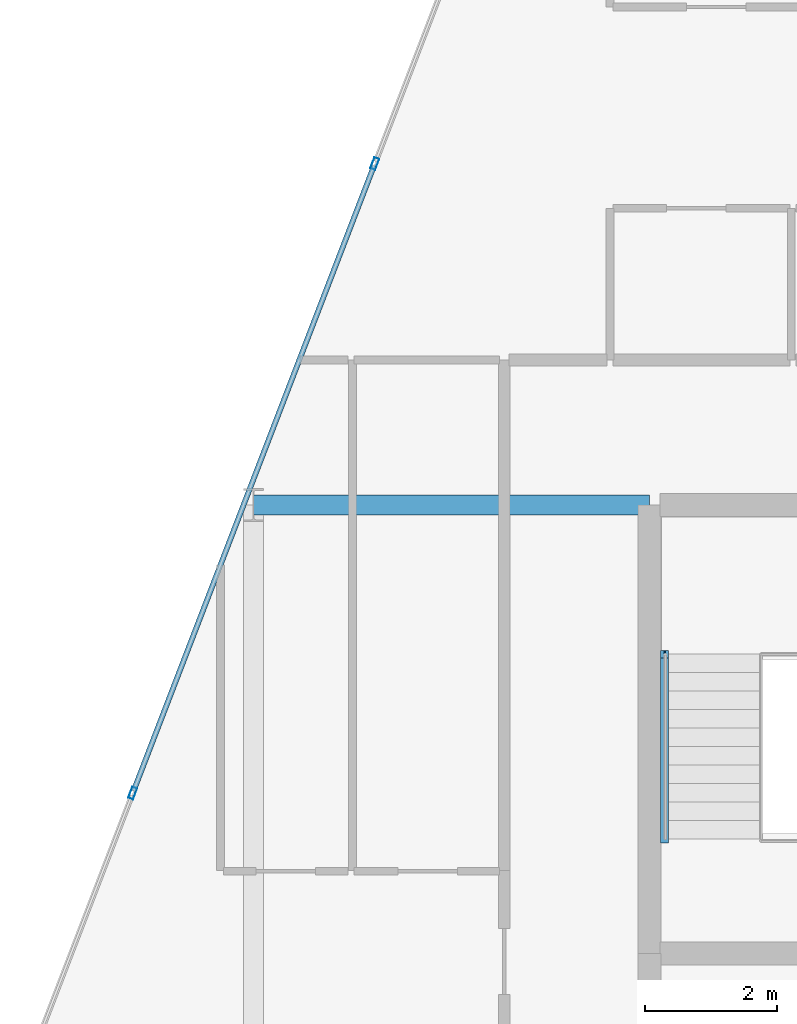
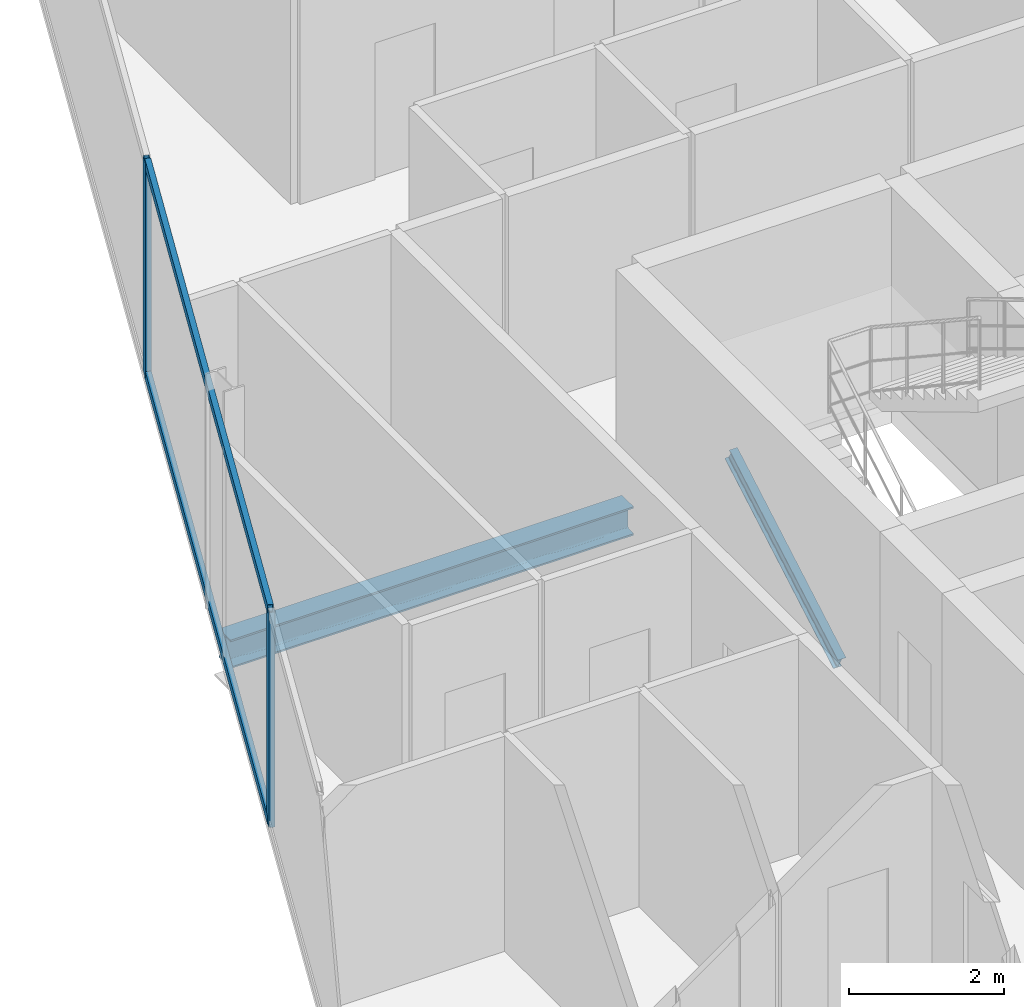
# One storey, part 15 of 31: 5 members, 1 beam, 1 element without a shape of its own.
"""IFC4 building model written with IfcOpenShell, lengths in metres."""

from ifc_helpers import new_model, si_unit, direction, frame, origin, origin_2d, place, context, subcontext, project, spatial, hollow_rectangle, i_section, extrude, material, layer, layer_set, material_profile, profile_set, type_object, element, aggregate, save


model = new_model("IFC4")

# Units and contexts
model_context = context("Model", 3, precision=1e-05, world=origin(), true_north=direction((0.0, 1.0)))
body_context = subcontext(model_context, "Body", "Model", "MODEL_VIEW")
ifc_project = project(units=[si_unit("LENGTHUNIT", "METRE"), si_unit("AREAUNIT", "SQUARE_METRE"), si_unit("VOLUMEUNIT", "CUBIC_METRE"), si_unit("PLANEANGLEUNIT", "RADIAN"), si_unit("MASSUNIT", "GRAM", prefix="KILO")], contexts=[model_context])

# Site, building, storey
site_placement = place(None, origin())
site = spatial("IfcSite", under=ifc_project, at=site_placement, CompositionType="ELEMENT")
building_placement = place(site_placement, origin())
building = spatial("IfcBuilding", under=site, at=building_placement, Name="Keshet Zoharim Tower", CompositionType="ELEMENT")
storey_placement = place(building_placement, frame((0.0, 0.0, 129.800048828125)))
storey = spatial("IfcBuildingStorey", under=building, at=storey_placement, Name="L31", CompositionType="ELEMENT", Elevation=129.800048828125)

# Beam
ifc_material_1 = material(Name="Steel S355", Category="steel")
ifc_material_profile_1 = material_profile(ifc_material_1, i_section(OverallWidth=0.300048828125, OverallDepth=0.449951171875, WebThickness=0.013916015625, FlangeThickness=0.02587890625, FilletRadius=0.027099609375, at=origin_2d()), Name="HEB450")
ifc_profile_set_1 = profile_set([ifc_material_profile_1], Name="Steel S355")
beam_type = type_object("IfcBeamType", Name="BM-WEB-HB450", PredefinedType="BEAM", material=ifc_profile_set_1)
beam_placement = place(storey_placement, frame((9.0, 37.89990234375, -0.5400390625), z_axis=(1.0, 0.0, 0.0), x_axis=(0.0, 1.0, 0.0)))
element("IfcBeam", 1, at=beam_placement, inside=storey, type_object=beam_type, Name="L31 Primary Girder X-018", PredefinedType="BEAM", context=body_context, shape_type="SweptSolid", body=[
    extrude(i_section(OverallWidth=0.300048828125, OverallDepth=0.449951171875, WebThickness=0.013916015625, FlangeThickness=0.02587890625, FilletRadius=0.027099609375, at=origin_2d()), origin(), (0.0, 0.0, 1.0), 6.0),
])

# Curtain wall, members
ifc_material_2 = material(Name="Aluminium 6063-T6", Category="aluminium")
ifc_layer = layer(ifc_material_2, 0.159912109375)
ifc_layer_set = layer_set([ifc_layer], Name="Aluminium 6063-T6")
curtain_wall_type = type_object("IfcCurtainWallType", Name="CW-SYS-03", PredefinedType="NOTDEFINED", material=ifc_layer_set)
curtain_wall_placement = place(storey_placement, origin())
curtain_wall = element("IfcCurtainWall", 2, at=curtain_wall_placement, inside=storey, type_object=curtain_wall_type, Name="L31 Unitised Curtain Wall 10", PredefinedType="NOTDEFINED")
ifc_material_profile_2 = material_profile(ifc_material_2, hollow_rectangle(XDim=0.080078125, YDim=0.179931640625, WallThickness=0.00439453125, at=origin_2d()), Name="MUL-80x180")
ifc_profile_set_2 = profile_set([ifc_material_profile_2], Name="Aluminium 6063-T6")
member_type_1 = type_object("IfcMemberType", Name="CWM-M18", PredefinedType="MULLION", material=ifc_profile_set_2)
member_1_placement = place(storey_placement, frame((7.1669921875, 33.53466796875, 0.0), z_axis=(0.0, 0.0, 1.0), x_axis=(-0.933341404361, 0.358990003907, 0.0)))
member_1 = element("IfcMember", 3, at=member_1_placement, type_object=member_type_1, Name="CW-03 mullion 2", PredefinedType="MULLION", context=body_context, shape_type="SweptSolid", body=[
    extrude(hollow_rectangle(XDim=0.080078125, YDim=0.179931640625, WallThickness=0.00439453125, at=origin_2d()), origin(), (0.0, 0.0, 1.0), 3.385009765625),
])
member_2_placement = place(storey_placement, frame((10.8369140625, 43.076416015625, 0.0), z_axis=(0.0, 0.0, 1.0), x_axis=(-0.933341404361, 0.358990003907, 0.0)))
member_2 = element("IfcMember", 4, at=member_2_placement, type_object=member_type_1, Name="CW-03 mullion 3", PredefinedType="MULLION", context=body_context, shape_type="SweptSolid", body=[
    extrude(hollow_rectangle(XDim=0.080078125, YDim=0.179931640625, WallThickness=0.00439453125, at=origin_2d()), origin(), (0.0, 0.0, 1.0), 3.385009765625),
])
ifc_material_profile_3 = material_profile(ifc_material_2, hollow_rectangle(XDim=0.080078125, YDim=0.139892578125, WallThickness=0.00390625, at=origin_2d()), Name="TRN-80x140")
ifc_profile_set_3 = profile_set([ifc_material_profile_3], Name="Aluminium 6063-T6")
member_type_2 = type_object("IfcMemberType", Name="CWT-T14", PredefinedType="USERDEFINED", material=ifc_profile_set_3)
member_3_placement = place(storey_placement, frame((7.179443359375, 33.5673828125, 0.034912109375), z_axis=(0.359003248899, 0.933336309848, 0.0), x_axis=(-0.933336309848, 0.359003248899, 0.0)))
member_3 = element("IfcMember", 5, at=member_3_placement, type_object=member_type_2, Name="CW-03 transom 2.1", ObjectType="TRANSOM", PredefinedType="USERDEFINED", context=body_context, shape_type="SweptSolid", body=[
    extrude(hollow_rectangle(XDim=0.080078125, YDim=0.139892578125, WallThickness=0.00390625, at=origin_2d()), origin(), (0.0, 0.0, 1.0), 10.153076171875),
])
member_4_placement = place(storey_placement, frame((7.179443359375, 33.5673828125, 3.349853515625), z_axis=(0.359003248899, 0.933336309848, 0.0), x_axis=(-0.933336309848, 0.359003248899, 0.0)))
member_4 = element("IfcMember", 6, at=member_4_placement, type_object=member_type_2, Name="CW-03 transom 2.2", ObjectType="TRANSOM", PredefinedType="USERDEFINED", context=body_context, shape_type="SweptSolid", body=[
    extrude(hollow_rectangle(XDim=0.080078125, YDim=0.139892578125, WallThickness=0.00390625, at=origin_2d()), origin(), (0.0, 0.0, 1.0), 10.153076171875),
])
aggregate(curtain_wall, [member_1, member_2, member_3, member_4])

# Member
ifc_material_profile_4 = material_profile(ifc_material_1, i_section(OverallWidth=0.1201171875, OverallDepth=0.239990234375, WebThickness=0.006103515625, FlangeThickness=0.009765625, FilletRadius=0.014892578125, at=origin_2d()), Name="IPE240")
ifc_profile_set_4 = profile_set([ifc_material_profile_4], Name="Steel S355")
member_type_3 = type_object("IfcMemberType", Name="MB-STRG-IP240", PredefinedType="STRINGER", material=ifc_profile_set_4)
member_5_placement = place(storey_placement, frame((15.22998046875, 32.840087890625, 0.119873046875), z_axis=(0.0, 0.866876903101, 0.498522251129), x_axis=(-1.0, 0.0, 0.0)))
element("IfcMember", 7, at=member_5_placement, inside=storey, type_object=member_type_3, Name="L31 ST-02 Flight Steel Stringer", PredefinedType="STRINGER", context=body_context, shape_type="SweptSolid", body=[
    extrude(i_section(OverallWidth=0.1201171875, OverallDepth=0.239990234375, WebThickness=0.006103515625, FlangeThickness=0.009765625, FilletRadius=0.014892578125, at=origin_2d()), origin(), (0.0, 0.0, 1.0), 3.229736328125),
])

save(model, "model.ifc")
